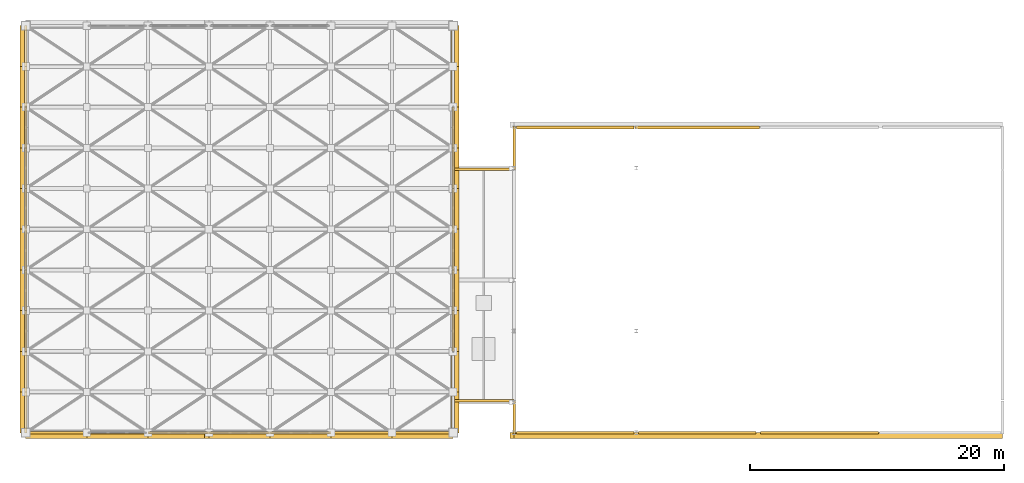
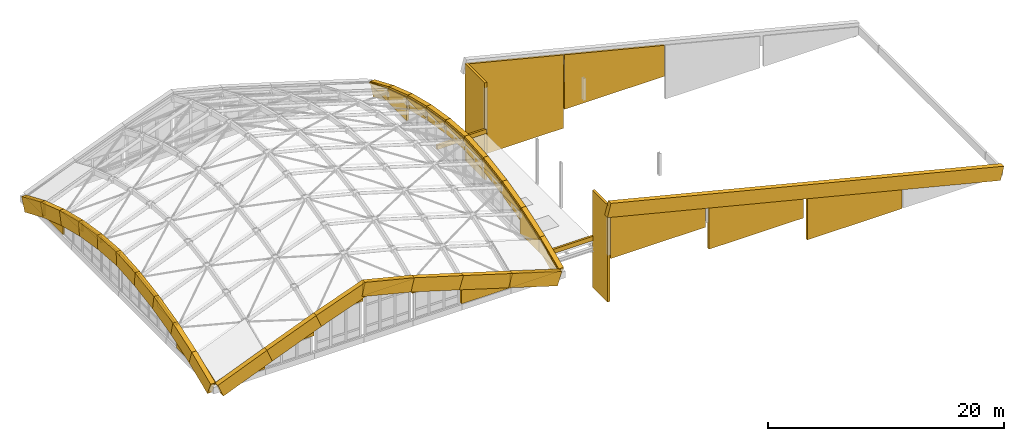
# One storey, part 13 of 14: 64 coverings.
"""IFC4 building model written with IfcOpenShell, lengths in metres."""

from ifc_helpers import new_model, si_unit, direction, frame, origin, origin_2d, place, context, subcontext, project, spatial, polyline, rectangle, outline, extrude, material, layer, layer_set, type_object, element, save


model = new_model("IFC4")

# Units and contexts
model_context = context("Model", 3, precision=1e-05, world=origin(), true_north=direction((0.0, 1.0)))
body_context = subcontext(model_context, "Body", "Model", "MODEL_VIEW")
ifc_project = project(units=[si_unit("LENGTHUNIT", "METRE"), si_unit("AREAUNIT", "SQUARE_METRE"), si_unit("VOLUMEUNIT", "CUBIC_METRE"), si_unit("PLANEANGLEUNIT", "RADIAN"), si_unit("MASSUNIT", "GRAM", prefix="KILO")], contexts=[model_context])

# Site, building, storey
site_placement = place(None, origin())
site = spatial("IfcSite", under=ifc_project, at=site_placement, CompositionType="ELEMENT")
building_placement = place(site_placement, origin())
building = spatial("IfcBuilding", under=site, at=building_placement, Name="Dunescarp Central Library", CompositionType="ELEMENT")
storey_placement = place(building_placement, frame((0.0, 0.0, 31.800048828125)))
storey = spatial("IfcBuildingStorey", under=building, at=storey_placement, Name="ROOF", CompositionType="ELEMENT", Elevation=31.800048828125)

# Coverings
ifc_material = material(Name="Glass-fibre reinforced concrete GRC", Category="concrete")
ifc_layer_1 = layer(ifc_material, 0.219970703125)
ifc_layer_set_1 = layer_set([ifc_layer_1], Name="Glass-fibre reinforced concrete GRC")
covering_type_1 = type_object("IfcCoveringType", Name="ARC-COV-CLER", PredefinedType="CLADDING", material=ifc_layer_set_1)
covering_1_placement = place(storey_placement, frame((4.800048828125, 4.800048828125, -0.010009765625), z_axis=(0.0, 0.0, 1.0), x_axis=(-1.0, 0.0, 0.0)))
element("IfcCovering", 1, at=covering_1_placement, inside=storey, type_object=covering_type_1, Name="Crown corner tympanum S1", PredefinedType="CLADDING", context=body_context, shape_type="SweptSolid", body=[
    extrude(outline(polyline([(0.0, 0.0), (4.800048828125, 0.0), (4.800048828125, 0.1298828125), (0.0, 1.919921875), (0.0, 0.0)])), frame((0.0, 0.10986328125, 0.0), z_axis=(0.0, -1.0, 0.0), x_axis=(1.0, 0.0, 0.0)), (0.0, 0.0, 1.0), 0.219970703125),
])
covering_2_placement = place(storey_placement, frame((9.60009765625, 4.800048828125, 1.739990234375), z_axis=(0.0, 0.0, 1.0), x_axis=(-1.0, 0.0, 0.0)))
element("IfcCovering", 2, at=covering_2_placement, inside=storey, type_object=covering_type_1, Name="Crown arch tympanum S2", PredefinedType="CLADDING", context=body_context, shape_type="SweptSolid", body=[
    extrude(outline(polyline([(0.0, 0.0), (4.800048828125, 0.0), (4.800048828125, 0.169921875), (0.0, 2.070068359375), (0.0, 0.0)])), frame((0.0, 0.10009765625, 0.0), z_axis=(0.0, -1.0, 0.0), x_axis=(1.0, 0.0, 0.0)), (0.0, 0.0, 1.0), 0.199951171875),
])
covering_3_placement = place(storey_placement, frame((14.39990234375, 4.800048828125, 3.639892578125), z_axis=(0.0, 0.0, 1.0), x_axis=(-1.0, 0.0, 0.0)))
element("IfcCovering", 3, at=covering_3_placement, inside=storey, type_object=covering_type_1, Name="Crown arch tympanum S3", PredefinedType="CLADDING", context=body_context, shape_type="SweptSolid", body=[
    extrude(outline(polyline([(0.0, 0.0), (4.7998046875, 0.0), (4.800048828125, 0.170166015625), (0.0, 1.920166015625), (0.0, 0.0)])), frame((0.0, 0.10009765625, 0.0), z_axis=(0.0, -1.0, 0.0), x_axis=(1.0, 0.0, 0.0)), (0.0, 0.0, 1.0), 0.199951171875),
])
covering_4_placement = place(storey_placement, frame((19.199951171875, 4.800048828125, 4.18994140625), z_axis=(0.0, 0.0, 1.0), x_axis=(-1.0, 0.0, 0.0)))
element("IfcCovering", 4, at=covering_4_placement, inside=storey, type_object=covering_type_1, Name="Crown arch tympanum S4", PredefinedType="CLADDING", context=body_context, shape_type="SweptSolid", body=[
    extrude(outline(polyline([(0.0, 0.0), (4.800048828125, 0.0), (4.800048828125, 1.3701171875), (0.0, 0.169921875), (0.0, 0.0)])), frame((0.0, 0.10009765625, 0.0), z_axis=(0.0, -1.0, 0.0), x_axis=(1.0, 0.0, 0.0)), (0.0, 0.0, 1.0), 0.199951171875),
])
covering_5_placement = place(storey_placement, frame((24.0, 4.800048828125, 2.739990234375), z_axis=(0.0, 0.0, 1.0), x_axis=(-1.0, 0.0, 0.0)))
element("IfcCovering", 5, at=covering_5_placement, inside=storey, type_object=covering_type_1, Name="Crown arch tympanum S5", PredefinedType="CLADDING", context=body_context, shape_type="SweptSolid", body=[
    extrude(outline(polyline([(0.0, 0.0), (4.800048828125, 0.0), (4.800048828125, 1.619873046875), (0.0, 0.169921875), (0.0, 0.0)])), frame((0.0, 0.10009765625, 0.0), z_axis=(0.0, -1.0, 0.0), x_axis=(1.0, 0.0, 0.0)), (0.0, 0.0, 1.0), 0.199951171875),
])
covering_6_placement = place(storey_placement, frame((28.800048828125, 4.800048828125, -0.010009765625), z_axis=(0.0, 0.0, 1.0), x_axis=(-1.0, 0.0, 0.0)))
element("IfcCovering", 6, at=covering_6_placement, inside=storey, type_object=covering_type_1, Name="Crown corner tympanum S6", PredefinedType="CLADDING", context=body_context, shape_type="SweptSolid", body=[
    extrude(outline(polyline([(0.0, 0.0), (4.800048828125, 0.0), (4.800048828125, 2.919921875), (0.0, 1.449951171875), (0.0, 0.0)])), frame((0.0, 0.10986328125, 0.0), z_axis=(0.0, -1.0, 0.0), x_axis=(1.0, 0.0, 0.0)), (0.0, 0.0, 1.0), 0.219970703125),
])
covering_7_placement = place(storey_placement, frame((33.60009765625, 4.800048828125, -0.010009765625), z_axis=(0.0, 0.0, 1.0), x_axis=(-1.0, 0.0, 0.0)))
element("IfcCovering", 7, at=covering_7_placement, inside=storey, type_object=covering_type_1, Name="Crown corner tympanum S7", PredefinedType="CLADDING", context=body_context, shape_type="SweptSolid", body=[
    extrude(outline(polyline([(0.0, 0.0), (4.800048828125, 0.0), (4.800048828125, 1.449951171875), (0.0, 0.1298828125), (0.0, 0.0)])), frame((0.0, 0.10986328125, 0.0), z_axis=(0.0, -1.0, 0.0), x_axis=(1.0, 0.0, 0.0)), (0.0, 0.0, 1.0), 0.219970703125),
])
covering_8_placement = place(storey_placement, frame((0.0, 4.800048828125, -0.010009765625), z_axis=(0.0, 0.0, 1.0), x_axis=(0.0, 1.0, 0.0)))
element("IfcCovering", 8, at=covering_8_placement, inside=storey, type_object=covering_type_1, Name="Crown corner tympanum W1", PredefinedType="CLADDING", context=body_context, shape_type="SweptSolid", body=[
    extrude(outline(polyline([(0.0, 0.0), (3.199951171875, 0.0), (3.199951171875, 1.330078125), (0.0, 0.1298828125), (0.0, 0.0)])), frame((0.0, 0.10986328125, 0.0), z_axis=(0.0, -1.0, 0.0), x_axis=(1.0, 0.0, 0.0)), (0.0, 0.0, 1.0), 0.219970703125),
])
covering_9_placement = place(storey_placement, frame((33.60009765625, 8.0, -0.010009765625), z_axis=(0.0, 0.0, 1.0), x_axis=(0.0, -1.0, 0.0)))
element("IfcCovering", 9, at=covering_9_placement, inside=storey, type_object=covering_type_1, Name="Crown corner tympanum E1", PredefinedType="CLADDING", context=body_context, shape_type="SweptSolid", body=[
    extrude(outline(polyline([(0.0, 0.0), (3.199951171875, 0.0), (3.199951171875, 0.1298828125), (0.0, 1.330078125), (0.0, 0.0)])), frame((0.0, 0.10986328125, 0.0), z_axis=(0.0, -1.0, 0.0), x_axis=(1.0, 0.0, 0.0)), (0.0, 0.0, 1.0), 0.219970703125),
])
covering_10_placement = place(storey_placement, frame((0.0, 8.0, -0.010009765625), z_axis=(0.0, 0.0, 1.0), x_axis=(0.0, 1.0, 0.0)))
element("IfcCovering", 10, at=covering_10_placement, inside=storey, type_object=covering_type_1, Name="Crown corner tympanum W2", PredefinedType="CLADDING", context=body_context, shape_type="SweptSolid", body=[
    extrude(outline(polyline([(0.0, 0.0), (3.199951171875, 0.0), (3.199951171875, 2.409912109375), (0.0, 1.330078125), (0.0, 0.0)])), frame((0.0, 0.10986328125, 0.0), z_axis=(0.0, -1.0, 0.0), x_axis=(1.0, 0.0, 0.0)), (0.0, 0.0, 1.0), 0.219970703125),
])
covering_11_placement = place(storey_placement, frame((33.60009765625, 11.199951171875, -0.010009765625), z_axis=(0.0, 0.0, 1.0), x_axis=(0.0, -1.0, 0.0)))
element("IfcCovering", 11, at=covering_11_placement, inside=storey, type_object=covering_type_1, Name="Crown corner tympanum E2", PredefinedType="CLADDING", context=body_context, shape_type="SweptSolid", body=[
    extrude(outline(polyline([(0.0, 0.0), (3.199951171875, 0.0), (3.199951171875, 1.330078125), (0.0, 2.409912109375), (0.0, 0.0)])), frame((0.0, 0.10986328125, 0.0), z_axis=(0.0, -1.0, 0.0), x_axis=(1.0, 0.0, 0.0)), (0.0, 0.0, 1.0), 0.219970703125),
])
covering_12_placement = place(storey_placement, frame((0.0, 11.199951171875, 2.22998046875), z_axis=(0.0, 0.0, 1.0), x_axis=(0.0, 1.0, 0.0)))
element("IfcCovering", 12, at=covering_12_placement, inside=storey, type_object=covering_type_1, Name="Crown arch tympanum W3", PredefinedType="CLADDING", context=body_context, shape_type="SweptSolid", body=[
    extrude(outline(polyline([(0.0, 0.0), (3.199951171875, 0.0), (3.199951171875, 0.969970703125), (0.0, 0.169921875), (0.0, 0.0)])), frame((0.0, 0.10009765625, 0.0), z_axis=(0.0, -1.0, 0.0), x_axis=(1.0, 0.0, 0.0)), (0.0, 0.0, 1.0), 0.199951171875),
])
covering_13_placement = place(storey_placement, frame((33.60009765625, 14.39990234375, 2.22998046875), z_axis=(0.0, 0.0, 1.0), x_axis=(0.0, -1.0, 0.0)))
element("IfcCovering", 13, at=covering_13_placement, inside=storey, type_object=covering_type_1, Name="Crown arch tympanum E3", PredefinedType="CLADDING", context=body_context, shape_type="SweptSolid", body=[
    extrude(outline(polyline([(0.0, 0.0), (3.199951171875, 0.0), (3.199951171875, 0.169921875), (0.0, 0.969970703125), (0.0, 0.0)])), frame((0.0, 0.10009765625, 0.0), z_axis=(0.0, -1.0, 0.0), x_axis=(1.0, 0.0, 0.0)), (0.0, 0.0, 1.0), 0.199951171875),
])
covering_14_placement = place(storey_placement, frame((0.0, 14.39990234375, 3.030029296875), z_axis=(0.0, 0.0, 1.0), x_axis=(0.0, 1.0, 0.0)))
element("IfcCovering", 14, at=covering_14_placement, inside=storey, type_object=covering_type_1, Name="Crown arch tympanum W4", PredefinedType="CLADDING", context=body_context, shape_type="SweptSolid", body=[
    extrude(outline(polyline([(0.0, 0.0), (3.2001953125, 0.0), (3.199951171875, 0.68994140625), (0.0, 0.169921875), (0.0, 0.0)])), frame((0.0, 0.10009765625, 0.0), z_axis=(0.0, -1.0, 0.0), x_axis=(1.0, 0.0, 0.0)), (0.0, 0.0, 1.0), 0.199951171875),
])
covering_15_placement = place(storey_placement, frame((33.60009765625, 17.60009765625, 3.030029296875), z_axis=(0.0, 0.0, 1.0), x_axis=(0.0, -1.0, 0.0)))
element("IfcCovering", 15, at=covering_15_placement, inside=storey, type_object=covering_type_1, Name="Crown arch tympanum E4", PredefinedType="CLADDING", context=body_context, shape_type="SweptSolid", body=[
    extrude(outline(polyline([(0.0, 0.0), (3.2001953125, 0.0), (3.199951171875, 0.169921875), (0.0, 0.68994140625), (0.0, 0.0)])), frame((0.0, 0.10009765625, 0.0), z_axis=(0.0, -1.0, 0.0), x_axis=(1.0, 0.0, 0.0)), (0.0, 0.0, 1.0), 0.199951171875),
])
covering_16_placement = place(storey_placement, frame((0.0, 17.60009765625, 3.550048828125), z_axis=(0.0, 0.0, 1.0), x_axis=(0.0, 1.0, 0.0)))
element("IfcCovering", 16, at=covering_16_placement, inside=storey, type_object=covering_type_1, Name="Crown arch tympanum W5", PredefinedType="CLADDING", context=body_context, shape_type="SweptSolid", body=[
    extrude(outline(polyline([(0.0, 0.0), (3.199951171875, 0.0), (3.199951171875, 0.409912109375), (0.0, 0.169921875), (0.0, 0.0)])), frame((0.0, 0.10009765625, 0.0), z_axis=(0.0, -1.0, 0.0), x_axis=(1.0, 0.0, 0.0)), (0.0, 0.0, 1.0), 0.199951171875),
])
for number, where, z_axis, x_axis, name in (
    (17, (33.60009765625, 20.800048828125, 3.550048828125), (0.0, 0.0, 1.0), (0.0, -1.0, 0.0), "Crown arch tympanum E5"),
    (18, (0.0, 20.800048828125, 3.550048828125), (0.0, 0.0, 1.0), (0.0, 1.0, 0.0), "Crown arch tympanum W6"),
):
    element("IfcCovering", number, at=place(storey_placement, frame(where, z_axis=z_axis, x_axis=x_axis)), inside=storey, type_object=covering_type_1, Name=name, PredefinedType="CLADDING", context=body_context, shape_type="SweptSolid", body=[
        extrude(outline(polyline([(0.0, 0.0), (3.199951171875, 0.0), (3.199951171875, 0.169921875), (0.0, 0.409912109375), (0.0, 0.0)])), frame((0.0, 0.10009765625, 0.0), z_axis=(0.0, -1.0, 0.0), x_axis=(1.0, 0.0, 0.0)), (0.0, 0.0, 1.0), 0.199951171875),
    ])
covering_17_placement = place(storey_placement, frame((33.60009765625, 24.0, 3.550048828125), z_axis=(0.0, 0.0, 1.0), x_axis=(0.0, -1.0, 0.0)))
element("IfcCovering", 19, at=covering_17_placement, inside=storey, type_object=covering_type_1, Name="Crown arch tympanum E6", PredefinedType="CLADDING", context=body_context, shape_type="SweptSolid", body=[
    extrude(outline(polyline([(0.0, 0.0), (3.199951171875, 0.0), (3.199951171875, 0.409912109375), (0.0, 0.169921875), (0.0, 0.0)])), frame((0.0, 0.10009765625, 0.0), z_axis=(0.0, -1.0, 0.0), x_axis=(1.0, 0.0, 0.0)), (0.0, 0.0, 1.0), 0.199951171875),
])
covering_18_placement = place(storey_placement, frame((0.0, 24.0, 3.030029296875), z_axis=(0.0, 0.0, 1.0), x_axis=(0.0, 1.0, 0.0)))
element("IfcCovering", 20, at=covering_18_placement, inside=storey, type_object=covering_type_1, Name="Crown arch tympanum W7", PredefinedType="CLADDING", context=body_context, shape_type="SweptSolid", body=[
    extrude(outline(polyline([(0.0, 0.0), (3.199951171875, 0.0), (3.199951171875, 0.169921875), (0.0, 0.68994140625), (0.0, 0.0)])), frame((0.0, 0.10009765625, 0.0), z_axis=(0.0, -1.0, 0.0), x_axis=(1.0, 0.0, 0.0)), (0.0, 0.0, 1.0), 0.199951171875),
])
covering_19_placement = place(storey_placement, frame((33.60009765625, 27.199951171875, 3.030029296875), z_axis=(0.0, 0.0, 1.0), x_axis=(0.0, -1.0, 0.0)))
element("IfcCovering", 21, at=covering_19_placement, inside=storey, type_object=covering_type_1, Name="Crown arch tympanum E7", PredefinedType="CLADDING", context=body_context, shape_type="SweptSolid", body=[
    extrude(outline(polyline([(0.0, 0.0), (3.199951171875, 0.0), (3.199951171875, 0.68994140625), (0.0, 0.169921875), (0.0, 0.0)])), frame((0.0, 0.10009765625, 0.0), z_axis=(0.0, -1.0, 0.0), x_axis=(1.0, 0.0, 0.0)), (0.0, 0.0, 1.0), 0.199951171875),
])
covering_20_placement = place(storey_placement, frame((0.0, 27.199951171875, 2.22998046875), z_axis=(0.0, 0.0, 1.0), x_axis=(0.0, 1.0, 0.0)))
element("IfcCovering", 22, at=covering_20_placement, inside=storey, type_object=covering_type_1, Name="Crown arch tympanum W8", PredefinedType="CLADDING", context=body_context, shape_type="SweptSolid", body=[
    extrude(outline(polyline([(0.0, 0.0), (3.199951171875, 0.0), (3.199951171875, 0.169921875), (0.0, 0.969970703125), (0.0, 0.0)])), frame((0.0, 0.10009765625, 0.0), z_axis=(0.0, -1.0, 0.0), x_axis=(1.0, 0.0, 0.0)), (0.0, 0.0, 1.0), 0.199951171875),
])
covering_21_placement = place(storey_placement, frame((33.60009765625, 30.39990234375, 2.22998046875), z_axis=(0.0, 0.0, 1.0), x_axis=(0.0, -1.0, 0.0)))
element("IfcCovering", 23, at=covering_21_placement, inside=storey, type_object=covering_type_1, Name="Crown arch tympanum E8", PredefinedType="CLADDING", context=body_context, shape_type="SweptSolid", body=[
    extrude(outline(polyline([(0.0, 0.0), (3.199951171875, 0.0), (3.199951171875, 0.969970703125), (0.0, 0.169921875), (0.0, 0.0)])), frame((0.0, 0.10009765625, 0.0), z_axis=(0.0, -1.0, 0.0), x_axis=(1.0, 0.0, 0.0)), (0.0, 0.0, 1.0), 0.199951171875),
])
covering_22_placement = place(storey_placement, frame((0.0, 30.39990234375, -0.010009765625), z_axis=(0.0, 0.0, 1.0), x_axis=(0.0, 1.0, 0.0)))
element("IfcCovering", 24, at=covering_22_placement, inside=storey, type_object=covering_type_1, Name="Crown corner tympanum W9", PredefinedType="CLADDING", context=body_context, shape_type="SweptSolid", body=[
    extrude(outline(polyline([(0.0, 0.0), (3.2001953125, 0.0), (3.199951171875, 1.330078125), (0.0, 2.409912109375), (0.0, 0.0)])), frame((0.0, 0.10986328125, 0.0), z_axis=(0.0, -1.0, 0.0), x_axis=(1.0, 0.0, 0.0)), (0.0, 0.0, 1.0), 0.219970703125),
])
covering_23_placement = place(storey_placement, frame((33.60009765625, 33.60009765625, -0.010009765625), z_axis=(0.0, 0.0, 1.0), x_axis=(0.0, -1.0, 0.0)))
element("IfcCovering", 25, at=covering_23_placement, inside=storey, type_object=covering_type_1, Name="Crown corner tympanum E9", PredefinedType="CLADDING", context=body_context, shape_type="SweptSolid", body=[
    extrude(outline(polyline([(0.0, 0.0), (3.2001953125, 0.0), (3.199951171875, 2.409912109375), (0.0, 1.330078125), (0.0, 0.0)])), frame((0.0, 0.10986328125, 0.0), z_axis=(0.0, -1.0, 0.0), x_axis=(1.0, 0.0, 0.0)), (0.0, 0.0, 1.0), 0.219970703125),
])
covering_24_placement = place(storey_placement, frame((0.0, 33.60009765625, -0.010009765625), z_axis=(0.0, 0.0, 1.0), x_axis=(0.0, 1.0, 0.0)))
element("IfcCovering", 26, at=covering_24_placement, inside=storey, type_object=covering_type_1, Name="Crown corner tympanum W10", PredefinedType="CLADDING", context=body_context, shape_type="SweptSolid", body=[
    extrude(outline(polyline([(0.0, 0.0), (3.199951171875, 0.0), (3.199951171875, 0.1298828125), (0.0, 1.330078125), (0.0, 0.0)])), frame((0.0, 0.10986328125, 0.0), z_axis=(0.0, -1.0, 0.0), x_axis=(1.0, 0.0, 0.0)), (0.0, 0.0, 1.0), 0.219970703125),
])
covering_25_placement = place(storey_placement, frame((33.60009765625, 36.800048828125, -0.010009765625), z_axis=(0.0, 0.0, 1.0), x_axis=(0.0, -1.0, 0.0)))
element("IfcCovering", 27, at=covering_25_placement, inside=storey, type_object=covering_type_1, Name="Crown corner tympanum E10", PredefinedType="CLADDING", context=body_context, shape_type="SweptSolid", body=[
    extrude(outline(polyline([(0.0, 0.0), (3.199951171875, 0.0), (3.199951171875, 1.330078125), (0.0, 0.1298828125), (0.0, 0.0)])), frame((0.0, 0.10986328125, 0.0), z_axis=(0.0, -1.0, 0.0), x_axis=(1.0, 0.0, 0.0)), (0.0, 0.0, 1.0), 0.219970703125),
])
covering_26_placement = place(storey_placement, frame((47.824951171875, 4.800048828125, -0.429931640625), z_axis=(0.0, 0.0, 1.0), x_axis=(-1.0, 0.0, 0.0)))
element("IfcCovering", 28, at=covering_26_placement, inside=storey, type_object=covering_type_1, Name="L05 V2 raked clerestory closure CLR-V2-L05-035", PredefinedType="CLADDING", context=body_context, shape_type="SweptSolid", body=[
    extrude(outline(polyline([(0.0, 0.0), (9.25, 0.0), (9.25, 5.561767578125), (0.0, 3.25), (0.0, 0.0)])), frame((0.0, 0.10986328125, 0.0), z_axis=(0.0, -1.0, 0.0), x_axis=(1.0, 0.0, 0.0)), (0.0, 0.0, 1.0), 0.219970703125),
])
covering_27_placement = place(storey_placement, frame((57.425048828125, 4.800048828125, -2.830078125), z_axis=(0.0, 0.0, 1.0), x_axis=(-1.0, 0.0, 0.0)))
element("IfcCovering", 29, at=covering_27_placement, inside=storey, type_object=covering_type_1, Name="L05 V2 raked clerestory closure CLR-V2-L05-036", PredefinedType="CLADDING", context=body_context, shape_type="SweptSolid", body=[
    extrude(outline(polyline([(0.0, 0.0), (9.25, 0.0), (9.25, 5.56201171875), (0.0, 3.25), (0.0, 0.0)])), frame((0.0, 0.10986328125, 0.0), z_axis=(0.0, -1.0, 0.0), x_axis=(1.0, 0.0, 0.0)), (0.0, 0.0, 1.0), 0.219970703125),
])
covering_28_placement = place(storey_placement, frame((67.02490234375, 4.800048828125, -5.22998046875), z_axis=(0.0, 0.0, 1.0), x_axis=(-1.0, 0.0, 0.0)))
element("IfcCovering", 30, at=covering_28_placement, inside=storey, type_object=covering_type_1, Name="L05 V2 raked clerestory closure CLR-V2-L05-037", PredefinedType="CLADDING", context=body_context, shape_type="SweptSolid", body=[
    extrude(outline(polyline([(0.0, 0.0), (9.25, 0.0), (9.25, 5.56298828125), (0.0, 3.25), (0.0, 0.0)])), frame((0.0, 0.10986328125, 0.0), z_axis=(0.0, -1.0, 0.0), x_axis=(1.0, 0.0, 0.0)), (0.0, 0.0, 1.0), 0.219970703125),
])
covering_29_placement = place(storey_placement, frame((38.574951171875, 28.800048828125, -4.748046875), z_axis=(0.0, 0.0, 1.0), x_axis=(1.0, 0.0, 0.0)))
element("IfcCovering", 31, at=covering_29_placement, inside=storey, type_object=covering_type_1, Name="L05 V2 raked clerestory closure CLR-V2-L05-039", PredefinedType="CLADDING", context=body_context, shape_type="SweptSolid", body=[
    extrude(outline(polyline([(0.0, 0.0), (9.25, 0.0), (9.25, 7.568115234375), (0.0, 9.8798828125), (0.0, 0.0)])), frame((0.0, 0.10986328125, 0.0), z_axis=(0.0, -1.0, 0.0), x_axis=(1.0, 0.0, 0.0)), (0.0, 0.0, 1.0), 0.219970703125),
])
covering_30_placement = place(storey_placement, frame((47.9150390625, 28.800048828125, -2.837158203125), z_axis=(0.0, 0.0, 1.0), x_axis=(1.0, 0.0, 0.0)))
element("IfcCovering", 32, at=covering_30_placement, inside=storey, type_object=covering_type_1, Name="L05 V2 raked clerestory closure CLR-V2-L05-040", PredefinedType="CLADDING", context=body_context, shape_type="SweptSolid", body=[
    extrude(outline(polyline([(0.0, 0.0), (9.77001953125, 0.0), (9.77001953125, 3.192138671875), (0.0, 5.634033203125), (0.0, 0.0)])), frame((0.0, 0.10986328125, 0.0), z_axis=(0.0, -1.0, 0.0), x_axis=(1.0, 0.0, 0.0)), (0.0, 0.0, 1.0), 0.219970703125),
])
covering_31_placement = place(storey_placement, frame((38.39990234375, 4.715087890625, -4.843994140625), z_axis=(0.0, 0.0, 1.0), x_axis=(0.0, 1.0, 0.0)))
element("IfcCovering", 33, at=covering_31_placement, inside=storey, type_object=covering_type_1, Name="L05 V2 raked clerestory closure CLR-V2-L05-043", PredefinedType="CLADDING", context=body_context, shape_type="SweptSolid", body=[
    extrude(outline(polyline([(0.0, 0.0), (2.56982421875, 0.0), (2.570068359375, 10.02001953125), (0.0, 10.02001953125), (0.0, 0.0)])), frame((0.0, 0.10986328125, 0.0), z_axis=(0.0, -1.0, 0.0), x_axis=(1.0, 0.0, 0.0)), (0.0, 0.0, 1.0), 0.219970703125),
])
covering_32_placement = place(storey_placement, frame((38.39990234375, 25.514892578125, -4.843994140625), z_axis=(0.0, 0.0, 1.0), x_axis=(0.0, 1.0, 0.0)))
element("IfcCovering", 34, at=covering_32_placement, inside=storey, type_object=covering_type_1, Name="L05 V2 raked clerestory closure CLR-V2-L05-044", PredefinedType="CLADDING", context=body_context, shape_type="SweptSolid", body=[
    extrude(outline(polyline([(0.0, 0.0), (3.3701171875, 0.0), (3.3701171875, 10.02001953125), (0.0, 10.02001953125), (0.0, 0.0)])), frame((0.0, 0.10986328125, 0.0), z_axis=(0.0, -1.0, 0.0), x_axis=(1.0, 0.0, 0.0)), (0.0, 0.0, 1.0), 0.219970703125),
])
for number, where, z_axis, x_axis, name in (
    (35, (36.0, 7.300048828125, 0.0), (0.0, 0.0, 1.0), (1.0, 0.0, 0.0), "ROOF-GL1 south parapet coping"),
    (36, (36.0, 25.5, 0.0), (0.0, 0.0, 1.0), (1.0, 0.0, 0.0), "ROOF-GL1 north parapet coping"),
):
    element("IfcCovering", number, at=place(storey_placement, frame(where, z_axis=z_axis, x_axis=x_axis)), inside=storey, type_object=covering_type_1, Name=name, PredefinedType="CLADDING", context=body_context, shape_type="SweptSolid", body=[
        extrude(rectangle(XDim=4.800048828125, YDim=0.199951171875, at=origin_2d()), origin(), (0.0, 0.0, 1.0), 0.449951171875),
    ])
ifc_layer_2 = layer(ifc_material, 0.449951171875)
ifc_layer_set_2 = layer_set([ifc_layer_2], Name="Glass-fibre reinforced concrete GRC")
covering_type_2 = type_object("IfcCoveringType", Name="ARC-COV-PORTAL", PredefinedType="CLADDING", material=ifc_layer_set_2)
covering_33_placement = place(storey_placement, frame((38.39990234375, 4.35009765625, 5.5400390625), z_axis=(0.242537076324, 0.0, 0.970142137322), x_axis=(0.970142137322, 0.0, -0.242537076324)))
element("IfcCovering", 37, at=covering_33_placement, inside=storey, type_object=covering_type_2, Name="V2 sculpted GRC raking portal band PRT-BAND-V2-025", PredefinedType="CLADDING", context=body_context, shape_type="SweptSolid", body=[
    extrude(outline(polyline([(0.0, 0.0), (39.58197980181126, 0.0), (39.58197980181126, 0.469970703125), (0.0, 0.469970703125), (0.0, 0.0)])), origin(), (0.0, 0.0, -1.0), 1.39990234375),
])
covering_34_placement = place(storey_placement, frame((0.0, 4.35009765625, 0.179931640625), z_axis=(-0.376365671221, 0.0, 0.926471198433), x_axis=(0.926471198433, 0.0, 0.376365671221)))
element("IfcCovering", 38, at=covering_34_placement, inside=storey, type_object=covering_type_2, Name="V1 sculpted GRC raking portal band PRT-BAND-V1-109", PredefinedType="CLADDING", context=body_context, shape_type="SweptSolid", body=[
    extrude(outline(polyline([(0.0, 0.0), (5.181001671982058, 0.0), (5.181001671982058, 0.4699707031250001), (0.0, 0.4699707031250001), (0.0, 0.0)])), origin(), (0.0, 0.0, -1.0), 1.39990234375),
])
covering_35_placement = place(storey_placement, frame((4.800048828125, 4.35009765625, 2.1298828125), z_axis=(-0.368069745395, 0.0, 0.929798183761), x_axis=(0.929798183761, 0.0, 0.368069745395)))
element("IfcCovering", 39, at=covering_35_placement, inside=storey, type_object=covering_type_2, Name="V1 sculpted GRC raking portal band PRT-BAND-V1-111", PredefinedType="CLADDING", context=body_context, shape_type="SweptSolid", body=[
    extrude(outline(polyline([(0.0, 0.0), (5.162463115070834, 0.0), (5.162463115070834, 0.469970703125), (0.0, 0.469970703125), (0.0, 0.0)])), origin(), (0.0, 0.0, -1.0), 1.39990234375),
])
covering_36_placement = place(storey_placement, frame((9.60009765625, 4.35009765625, 4.030029296875), z_axis=(-0.342541026519, 0.0, 0.939502871284), x_axis=(0.939502871284, 0.0, 0.342541026519)))
element("IfcCovering", 40, at=covering_36_placement, inside=storey, type_object=covering_type_2, Name="V1 sculpted GRC raking portal band PRT-BAND-V1-113", PredefinedType="CLADDING", context=body_context, shape_type="SweptSolid", body=[
    extrude(outline(polyline([(0.0, 0.0), (5.108877081917999, 0.0), (5.108877081917999, 0.469970703125), (0.0, 0.469970703125), (0.0, 0.0)])), origin(), (0.0, 0.0, -1.0), 1.39990234375),
])
covering_37_placement = place(storey_placement, frame((14.39990234375, 4.35009765625, 5.780029296875), z_axis=(0.242570455271, 0.0, 0.970133791922), x_axis=(0.970133791922, 0.0, -0.242570455271)))
element("IfcCovering", 41, at=covering_37_placement, inside=storey, type_object=covering_type_2, Name="V1 sculpted GRC raking portal band PRT-BAND-V1-115", PredefinedType="CLADDING", context=body_context, shape_type="SweptSolid", body=[
    extrude(outline(polyline([(0.0, 0.0), (4.947821494408539, 0.0), (4.947821494408539, 0.469970703125), (0.0, 0.469970703125), (0.0, 0.0)])), origin(), (0.0, 0.0, -1.0), 1.39990234375),
])
covering_38_placement = place(storey_placement, frame((19.199951171875, 4.35009765625, 4.579833984375), z_axis=(0.289165397378, 0.0, 0.95727915101), x_axis=(0.95727915101, 0.0, -0.289165397378)))
element("IfcCovering", 42, at=covering_38_placement, inside=storey, type_object=covering_type_2, Name="V1 sculpted GRC raking portal band PRT-BAND-V1-117", PredefinedType="CLADDING", context=body_context, shape_type="SweptSolid", body=[
    extrude(outline(polyline([(0.0, 0.0), (5.0142623737899745, 0.0), (5.0142623737899745, 0.469970703125), (0.0, 0.469970703125), (0.0, 0.0)])), origin(), (0.0, 0.0, -1.0), 1.39990234375),
])
covering_39_placement = place(storey_placement, frame((24.0, 4.35009765625, 3.1298828125), z_axis=(0.29281772144, 0.0, 0.95616828122), x_axis=(0.95616828122, 0.0, -0.29281772144)))
element("IfcCovering", 43, at=covering_39_placement, inside=storey, type_object=covering_type_2, Name="V1 sculpted GRC raking portal band PRT-BAND-V1-119", PredefinedType="CLADDING", context=body_context, shape_type="SweptSolid", body=[
    extrude(outline(polyline([(0.0, 0.0), (5.020087909631663, 0.0), (5.020087909631663, 0.4699707031250001), (0.0, 0.4699707031250001), (0.0, 0.0)])), origin(), (0.0, 0.0, -1.0), 1.39990234375),
])
covering_40_placement = place(storey_placement, frame((28.800048828125, 4.35009765625, 1.659912109375), z_axis=(0.294639100089, 0.0, 0.955608602252), x_axis=(0.955608602252, 0.0, -0.294639100089)))
element("IfcCovering", 44, at=covering_40_placement, inside=storey, type_object=covering_type_2, Name="V1 sculpted GRC raking portal band PRT-BAND-V1-121", PredefinedType="CLADDING", context=body_context, shape_type="SweptSolid", body=[
    extrude(outline(polyline([(0.0, 0.0), (5.023028064849495, 0.0), (5.023028064849495, 0.469970703125), (0.0, 0.469970703125), (0.0, 0.0)])), origin(), (0.0, 0.0, -1.0), 1.39990234375),
])
for number, where, z_axis, x_axis, name in (
    (45, (-0.449951171875, 4.800048828125, 0.179931640625), (0.0, -0.391171863634, 0.920317647935), (1.0, 0.0, 0.0), "V1 sculpted GRC raking portal band PRT-BAND-V1-123"),
    (46, (33.580078125, 4.800048828125, 0.179931640625), (0.0, -0.391171863634, 0.920317647935), (1.0, 0.0, 0.0), "V1 sculpted GRC raking portal band PRT-BAND-V1-124"),
):
    element("IfcCovering", number, at=place(storey_placement, frame(where, z_axis=z_axis, x_axis=x_axis)), inside=storey, type_object=covering_type_2, Name=name, PredefinedType="CLADDING", context=body_context, shape_type="SweptSolid", body=[
        extrude(outline(polyline([(0.0, 0.0), (0.469970703125, 0.0), (0.469970703125, 3.4770072909649823), (0.0, 3.4770072909649823), (0.0, 0.0)])), origin(), (0.0, 0.0, -1.0), 1.39990234375),
    ])
for number, where, z_axis, x_axis, name in (
    (47, (-0.449951171875, 8.0, 1.5400390625), (0.0, -0.319738893982, 0.947505693743), (1.0, 0.0, 0.0), "V1 sculpted GRC raking portal band PRT-BAND-V1-125"),
    (48, (33.580078125, 8.0, 1.5400390625), (0.0, -0.319738893982, 0.947505693743), (1.0, 0.0, 0.0), "V1 sculpted GRC raking portal band PRT-BAND-V1-126"),
):
    element("IfcCovering", number, at=place(storey_placement, frame(where, z_axis=z_axis, x_axis=x_axis)), inside=storey, type_object=covering_type_2, Name=name, PredefinedType="CLADDING", context=body_context, shape_type="SweptSolid", body=[
        extrude(outline(polyline([(0.0, 0.0), (0.469970703125, 0.0), (0.469970703125, 3.3772368788989873), (0.0, 3.3772368788989873), (0.0, 0.0)])), origin(), (0.0, 0.0, -1.0), 1.39990234375),
    ])
for number, where, z_axis, x_axis, name in (
    (49, (-0.449951171875, 11.199951171875, 2.619873046875), (0.0, -0.242553040714, 0.97013814606), (1.0, 0.0, 0.0), "V1 sculpted GRC raking portal band PRT-BAND-V1-127"),
    (50, (33.580078125, 11.199951171875, 2.619873046875), (0.0, -0.242553040714, 0.97013814606), (1.0, 0.0, 0.0), "V1 sculpted GRC raking portal band PRT-BAND-V1-128"),
):
    element("IfcCovering", number, at=place(storey_placement, frame(where, z_axis=z_axis, x_axis=x_axis)), inside=storey, type_object=covering_type_2, Name=name, PredefinedType="CLADDING", context=body_context, shape_type="SweptSolid", body=[
        extrude(outline(polyline([(0.0, 0.0), (0.469970703125, 0.0), (0.469970703125, 3.2984489733461646), (0.0, 3.2984489733461646), (0.0, 0.0)])), origin(), (0.0, 0.0, -1.0), 1.39990234375),
    ])
for number, where, z_axis, x_axis, name in (
    (51, (-0.449951171875, 14.39990234375, 3.419921875), (0.0, -0.160392401159, 0.987053330702), (1.0, 0.0, 0.0), "V1 sculpted GRC raking portal band PRT-BAND-V1-129"),
    (52, (33.580078125, 14.39990234375, 3.419921875), (0.0, -0.160392401159, 0.987053330702), (1.0, 0.0, 0.0), "V1 sculpted GRC raking portal band PRT-BAND-V1-130"),
):
    element("IfcCovering", number, at=place(storey_placement, frame(where, z_axis=z_axis, x_axis=x_axis)), inside=storey, type_object=covering_type_2, Name=name, PredefinedType="CLADDING", context=body_context, shape_type="SweptSolid", body=[
        extrude(outline(polyline([(0.0, 0.0), (0.469970703125, 0.0), (0.469970703125, 3.242170623367691), (0.0, 3.242170623367691), (0.0, 0.0)])), origin(), (0.0, 0.0, -1.0), 1.39990234375),
    ])
for number, where, z_axis, x_axis, name in (
    (53, (-0.449951171875, 17.60009765625, 3.93994140625), (0.0, -0.074788056845, 0.997199451741), (1.0, 0.0, 0.0), "V1 sculpted GRC raking portal band PRT-BAND-V1-131"),
    (54, (33.580078125, 17.60009765625, 3.93994140625), (0.0, -0.074788056845, 0.997199451741), (1.0, 0.0, 0.0), "V1 sculpted GRC raking portal band PRT-BAND-V1-132"),
    (55, (-0.449951171875, 20.800048828125, 4.179931640625), (0.0, 0.074788056845, 0.997199451741), (1.0, 0.0, 0.0), "V1 sculpted GRC raking portal band PRT-BAND-V1-133"),
    (56, (33.580078125, 20.800048828125, 4.179931640625), (0.0, 0.074788056845, 0.997199451741), (1.0, 0.0, 0.0), "V1 sculpted GRC raking portal band PRT-BAND-V1-134"),
):
    element("IfcCovering", number, at=place(storey_placement, frame(where, z_axis=z_axis, x_axis=x_axis)), inside=storey, type_object=covering_type_2, Name=name, PredefinedType="CLADDING", context=body_context, shape_type="SweptSolid", body=[
        extrude(outline(polyline([(0.0, 0.0), (0.469970703125, 0.0), (0.469970703125, 3.208937957483683), (0.0, 3.208937957483683), (0.0, 0.0)])), origin(), (0.0, 0.0, -1.0), 1.39990234375),
    ])
for number, where, z_axis, x_axis, name in (
    (57, (-0.449951171875, 24.0, 3.93994140625), (0.0, 0.16040432347, 0.987051393298), (1.0, 0.0, 0.0), "V1 sculpted GRC raking portal band PRT-BAND-V1-135"),
    (58, (33.580078125, 24.0, 3.93994140625), (0.0, 0.16040432347, 0.987051393298), (1.0, 0.0, 0.0), "V1 sculpted GRC raking portal band PRT-BAND-V1-136"),
):
    element("IfcCovering", number, at=place(storey_placement, frame(where, z_axis=z_axis, x_axis=x_axis)), inside=storey, type_object=covering_type_2, Name=name, PredefinedType="CLADDING", context=body_context, shape_type="SweptSolid", body=[
        extrude(outline(polyline([(0.0, 0.0), (0.469970703125, 0.0), (0.469970703125, 3.241929643787116), (0.0, 3.241929643787116), (0.0, 0.0)])), origin(), (0.0, 0.0, -1.0), 1.39990234375),
    ])
for number, where, z_axis, x_axis, name in (
    (59, (-0.449951171875, 27.199951171875, 3.419921875), (0.0, 0.242553040714, 0.97013814606), (1.0, 0.0, 0.0), "V1 sculpted GRC raking portal band PRT-BAND-V1-137"),
    (60, (33.580078125, 27.199951171875, 3.419921875), (0.0, 0.242553040714, 0.97013814606), (1.0, 0.0, 0.0), "V1 sculpted GRC raking portal band PRT-BAND-V1-138"),
):
    element("IfcCovering", number, at=place(storey_placement, frame(where, z_axis=z_axis, x_axis=x_axis)), inside=storey, type_object=covering_type_2, Name=name, PredefinedType="CLADDING", context=body_context, shape_type="SweptSolid", body=[
        extrude(outline(polyline([(0.0, 0.0), (0.469970703125, 0.0), (0.469970703125, 3.2984489733461646), (0.0, 3.2984489733461646), (0.0, 0.0)])), origin(), (0.0, 0.0, -1.0), 1.39990234375),
    ])
for number, where, z_axis, x_axis, name in (
    (61, (-0.449951171875, 30.39990234375, 2.619873046875), (0.0, 0.319716994806, 0.947513083409), (1.0, 0.0, 0.0), "V1 sculpted GRC raking portal band PRT-BAND-V1-139"),
    (62, (33.580078125, 30.39990234375, 2.619873046875), (0.0, 0.319716994806, 0.947513083409), (1.0, 0.0, 0.0), "V1 sculpted GRC raking portal band PRT-BAND-V1-140"),
):
    element("IfcCovering", number, at=place(storey_placement, frame(where, z_axis=z_axis, x_axis=x_axis)), inside=storey, type_object=covering_type_2, Name=name, PredefinedType="CLADDING", context=body_context, shape_type="SweptSolid", body=[
        extrude(outline(polyline([(0.0, 0.0), (0.469970703125, 0.0), (0.469970703125, 3.377468204433339), (0.0, 3.377468204433339), (0.0, 0.0)])), origin(), (0.0, 0.0, -1.0), 1.39990234375),
    ])
for number, where, z_axis, x_axis, name in (
    (63, (-0.449951171875, 33.60009765625, 1.5400390625), (0.0, 0.391171863634, 0.920317647935), (1.0, 0.0, 0.0), "V1 sculpted GRC raking portal band PRT-BAND-V1-141"),
    (64, (33.580078125, 33.60009765625, 1.5400390625), (0.0, 0.391171863634, 0.920317647935), (1.0, 0.0, 0.0), "V1 sculpted GRC raking portal band PRT-BAND-V1-142"),
):
    element("IfcCovering", number, at=place(storey_placement, frame(where, z_axis=z_axis, x_axis=x_axis)), inside=storey, type_object=covering_type_2, Name=name, PredefinedType="CLADDING", context=body_context, shape_type="SweptSolid", body=[
        extrude(outline(polyline([(0.0, 0.0), (0.469970703125, 0.0), (0.469970703125, 3.4770072909649823), (0.0, 3.4770072909649823), (0.0, 0.0)])), origin(), (0.0, 0.0, -1.0), 1.39990234375),
    ])

save(model, "model.ifc")
